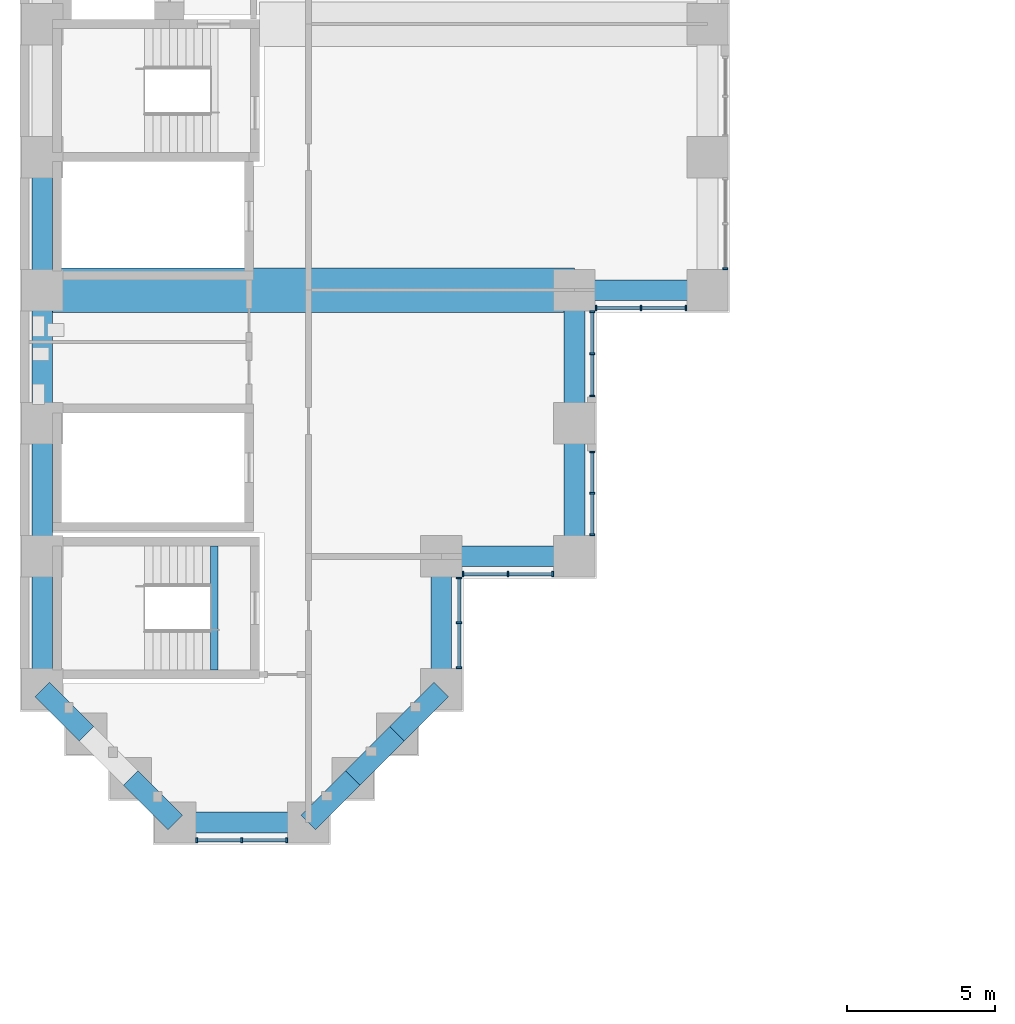
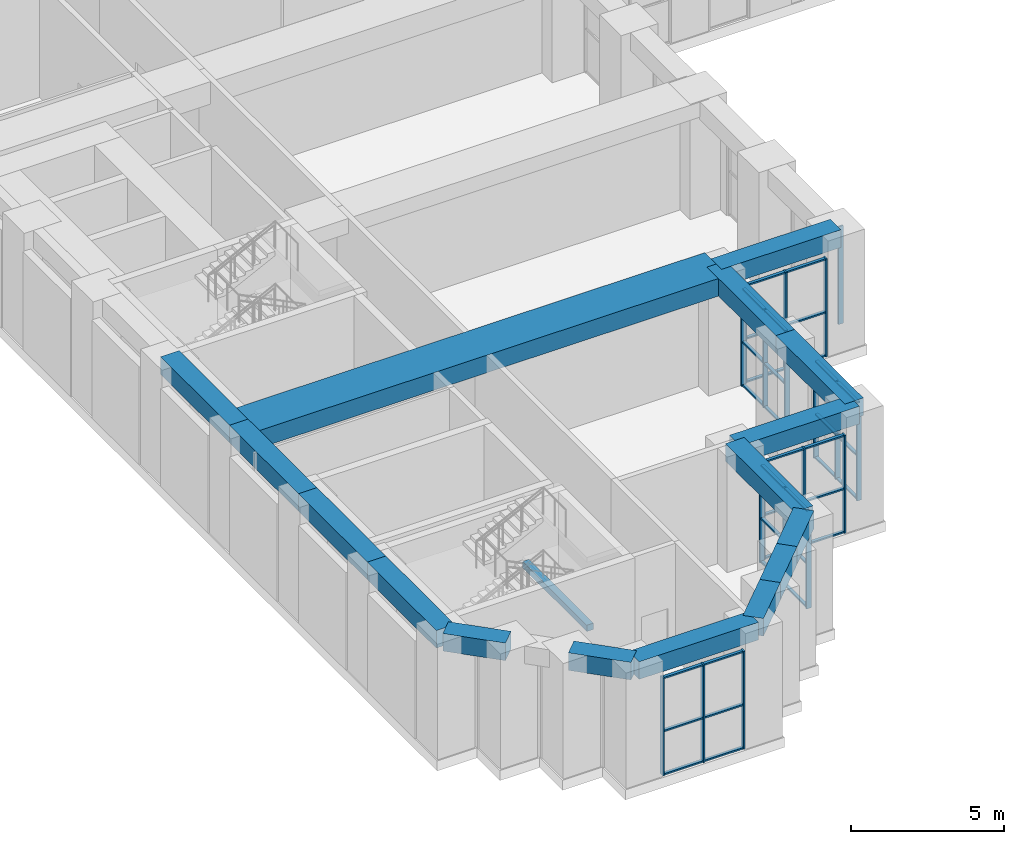
# One storey, part 2 of 34: 55 members, 17 beams, 7 elements without a shape of their own.
"""IFC4 building model written with IfcOpenShell, lengths in metres."""

from ifc_helpers import new_model, si_unit, direction, frame, origin, origin_2d, place, context, subcontext, project, spatial, rectangle, extrude, material, material_profile, profile_set, type_object, element, aggregate, save


model = new_model("IFC4")

# Units and contexts
model_context = context("Model", 3, precision=1e-05, world=origin(), true_north=direction((0.0, 1.0)))
body_context = subcontext(model_context, "Body", "Model", "MODEL_VIEW")
ifc_project = project(units=[si_unit("LENGTHUNIT", "METRE"), si_unit("AREAUNIT", "SQUARE_METRE"), si_unit("VOLUMEUNIT", "CUBIC_METRE"), si_unit("PLANEANGLEUNIT", "RADIAN"), si_unit("MASSUNIT", "GRAM", prefix="KILO")], contexts=[model_context])

# Site, building, storey
site_placement = place(None, origin())
site = spatial("IfcSite", under=ifc_project, at=site_placement, CompositionType="ELEMENT")
building_placement = place(site_placement, origin())
building = spatial("IfcBuilding", under=site, at=building_placement, Name="Firuza Court", CompositionType="ELEMENT")
storey_placement = place(building_placement, frame((0.0, 0.0, 14.0)))
storey = spatial("IfcBuildingStorey", under=building, at=storey_placement, Name="L02", CompositionType="ELEMENT", Elevation=14.0)

# Beams
ifc_material_1 = material(Name="Concrete C40/50", Category="concrete")
ifc_material_profile_1 = material_profile(ifc_material_1, rectangle(XDim=1.5, YDim=0.699951171875, at=origin_2d()), Name="RC 1500x700")
ifc_profile_set_1 = profile_set([ifc_material_profile_1], Name="Concrete C40/50")
beam_type_1 = type_object("IfcBeamType", Name="Band beam RC 1500x700 C40/50", PredefinedType="BEAM", material=ifc_profile_set_1)
beam_1_placement = place(storey_placement, frame((0.0, 18.0, 4.25), z_axis=(1.0, 0.0, 0.0), x_axis=(0.0, 1.0, 0.0)))
element("IfcBeam", 1, at=beam_1_placement, inside=storey, type_object=beam_type_1, Name="Band beam FB1 level L03", PredefinedType="BEAM", context=body_context, shape_type="SweptSolid", body=[
    extrude(rectangle(XDim=1.5, YDim=0.699951171875, at=origin_2d()), origin(), (0.0, 0.0, 1.0), 18.0),
])
ifc_material_2 = material(Name="Concrete C40/50", Category="concrete")
ifc_material_profile_2 = material_profile(ifc_material_2, rectangle(XDim=0.25, YDim=0.25, at=origin_2d()), Name="RC 250x250")
ifc_profile_set_2 = profile_set([ifc_material_profile_2], Name="Concrete C40/50")
beam_type_2 = type_object("IfcBeamType", Name="Landing beam RC 250x250 C40/50", PredefinedType="BEAM", material=ifc_profile_set_2)
beam_2_placement = place(storey_placement, frame((5.824951171875, 5.14990234375, 2.175048828125), z_axis=(0.0, 1.0, 0.0), x_axis=(-1.0, 0.0, 0.0)))
element("IfcBeam", 2, at=beam_2_placement, inside=storey, type_object=beam_type_2, Name="Landing beam S5 L02", PredefinedType="BEAM", context=body_context, shape_type="SweptSolid", body=[
    extrude(rectangle(XDim=0.25, YDim=0.25, at=origin_2d()), origin(), (0.0, 0.0, 1.0), 4.2001953125),
])

# Curtain wall, members
ifc_material_3 = material(Name="Aluminium curtain wall, triple clear glazing", Category="aluminium")
curtain_wall_type = type_object("IfcCurtainWallType", Name="Podium unitised curtain wall CW1", PredefinedType="NOTDEFINED", material=ifc_material_3)
curtain_wall_1_placement = place(storey_placement, origin())
curtain_wall_1 = element("IfcCurtainWall", 3, at=curtain_wall_1_placement, inside=storey, type_object=curtain_wall_type, Name="Podium unitised curtain wall CW1 L02", PredefinedType="NOTDEFINED")
ifc_material_4 = material(Name="Aluminium EN AW-6060 T66", Category="aluminium")
ifc_material_profile_3 = material_profile(ifc_material_4, rectangle(XDim=0.179931640625, YDim=0.06005859375, at=origin_2d()), Name="Mullion 180 x 60 CW1")
ifc_profile_set_3 = profile_set([ifc_material_profile_3], Name="Aluminium EN AW-6060 T66")
member_type_1 = type_object("IfcMemberType", Name="Mullion 180 x 60 CW1", PredefinedType="MULLION", material=ifc_profile_set_3)
member_1_placement = place(storey_placement, frame((14.10009765625, 5.22998046875, 0.0), z_axis=(0.0, 0.0, 1.0), x_axis=(-1.0, 0.0, 0.0)))
member_1 = element("IfcMember", 4, at=member_1_placement, type_object=member_type_1, Name="CW1 mullion 1", PredefinedType="MULLION", context=body_context, shape_type="SweptSolid", body=[
    extrude(rectangle(XDim=0.179931640625, YDim=0.06005859375, at=origin_2d()), origin(), (0.0, 0.0, 1.0), 3.89990234375),
])
member_2_placement = place(storey_placement, frame((14.10009765625, 6.75, 0.0), z_axis=(0.0, 0.0, 1.0), x_axis=(-1.0, 0.0, 0.0)))
member_2 = element("IfcMember", 5, at=member_2_placement, type_object=member_type_1, Name="CW1 mullion 2", PredefinedType="MULLION", context=body_context, shape_type="SweptSolid", body=[
    extrude(rectangle(XDim=0.179931640625, YDim=0.06005859375, at=origin_2d()), origin(), (0.0, 0.0, 1.0), 3.89990234375),
])
member_3_placement = place(storey_placement, frame((14.10009765625, 8.27001953125, 0.0), z_axis=(0.0, 0.0, 1.0), x_axis=(-1.0, 0.0, 0.0)))
member_3 = element("IfcMember", 6, at=member_3_placement, type_object=member_type_1, Name="CW1 mullion 3", PredefinedType="MULLION", context=body_context, shape_type="SweptSolid", body=[
    extrude(rectangle(XDim=0.179931640625, YDim=0.06005859375, at=origin_2d()), origin(), (0.0, 0.0, 1.0), 3.89990234375),
])

curtain_wall_2_placement = place(storey_placement, origin())
curtain_wall_2 = element("IfcCurtainWall", 7, at=curtain_wall_2_placement, inside=storey, type_object=curtain_wall_type, Name="Podium unitised curtain wall CW1 L02", PredefinedType="NOTDEFINED")
member_4_placement = place(storey_placement, frame((14.22998046875, 8.39990234375, 0.0), z_axis=(0.0, 0.0, 1.0), x_axis=(0.0, 1.0, 0.0)))
member_4 = element("IfcMember", 8, at=member_4_placement, type_object=member_type_1, Name="CW1 mullion 1", PredefinedType="MULLION", context=body_context, shape_type="SweptSolid", body=[
    extrude(rectangle(XDim=0.179931640625, YDim=0.06005859375, at=origin_2d()), origin(), (0.0, 0.0, 1.0), 3.89990234375),
])
member_5_placement = place(storey_placement, frame((15.75, 8.39990234375, 0.0), z_axis=(0.0, 0.0, 1.0), x_axis=(0.0, 1.0, 0.0)))
member_5 = element("IfcMember", 9, at=member_5_placement, type_object=member_type_1, Name="CW1 mullion 2", PredefinedType="MULLION", context=body_context, shape_type="SweptSolid", body=[
    extrude(rectangle(XDim=0.179931640625, YDim=0.06005859375, at=origin_2d()), origin(), (0.0, 0.0, 1.0), 3.89990234375),
])
member_6_placement = place(storey_placement, frame((17.27001953125, 8.39990234375, 0.0), z_axis=(0.0, 0.0, 1.0), x_axis=(0.0, 1.0, 0.0)))
member_6 = element("IfcMember", 10, at=member_6_placement, type_object=member_type_1, Name="CW1 mullion 3", PredefinedType="MULLION", context=body_context, shape_type="SweptSolid", body=[
    extrude(rectangle(XDim=0.179931640625, YDim=0.06005859375, at=origin_2d()), origin(), (0.0, 0.0, 1.0), 3.89990234375),
])

curtain_wall_3_placement = place(storey_placement, origin())
curtain_wall_3 = element("IfcCurtainWall", 11, at=curtain_wall_3_placement, inside=storey, type_object=curtain_wall_type, Name="Podium unitised curtain wall CW1 L02", PredefinedType="NOTDEFINED")
member_7_placement = place(storey_placement, frame((18.60009765625, 9.72998046875, 0.0), z_axis=(0.0, 0.0, 1.0), x_axis=(-1.0, 0.0, 0.0)))
member_7 = element("IfcMember", 12, at=member_7_placement, type_object=member_type_1, Name="CW1 mullion 1", PredefinedType="MULLION", context=body_context, shape_type="SweptSolid", body=[
    extrude(rectangle(XDim=0.179931640625, YDim=0.06005859375, at=origin_2d()), origin(), (0.0, 0.0, 1.0), 3.89990234375),
])
member_8_placement = place(storey_placement, frame((18.60009765625, 11.129638671875, 0.0), z_axis=(0.0, 0.0, 1.0), x_axis=(-1.0, 0.0, 0.0)))
member_8 = element("IfcMember", 13, at=member_8_placement, type_object=member_type_1, Name="CW1 mullion 2", PredefinedType="MULLION", context=body_context, shape_type="SweptSolid", body=[
    extrude(rectangle(XDim=0.179931640625, YDim=0.06005859375, at=origin_2d()), origin(), (0.0, 0.0, 1.0), 3.89990234375),
])
member_9_placement = place(storey_placement, frame((18.60009765625, 12.529052734375, 0.0), z_axis=(0.0, 0.0, 1.0), x_axis=(-1.0, 0.0, 0.0)))
member_9 = element("IfcMember", 14, at=member_9_placement, type_object=member_type_1, Name="CW1 mullion 3", PredefinedType="MULLION", context=body_context, shape_type="SweptSolid", body=[
    extrude(rectangle(XDim=0.179931640625, YDim=0.06005859375, at=origin_2d()), origin(), (0.0, 0.0, 1.0), 3.89990234375),
])

curtain_wall_4_placement = place(storey_placement, origin())
curtain_wall_4 = element("IfcCurtainWall", 15, at=curtain_wall_4_placement, inside=storey, type_object=curtain_wall_type, Name="Podium unitised curtain wall CW1 L02", PredefinedType="NOTDEFINED")
member_10_placement = place(storey_placement, frame((18.60009765625, 14.423828125, 0.0), z_axis=(0.0, 0.0, 1.0), x_axis=(-1.0, 0.0, 0.0)))
member_10 = element("IfcMember", 16, at=member_10_placement, type_object=member_type_1, Name="CW1 mullion 1", PredefinedType="MULLION", context=body_context, shape_type="SweptSolid", body=[
    extrude(rectangle(XDim=0.179931640625, YDim=0.06005859375, at=origin_2d()), origin(), (0.0, 0.0, 1.0), 3.89990234375),
])
member_11_placement = place(storey_placement, frame((18.60009765625, 15.846923828125, 0.0), z_axis=(0.0, 0.0, 1.0), x_axis=(-1.0, 0.0, 0.0)))
member_11 = element("IfcMember", 17, at=member_11_placement, type_object=member_type_1, Name="CW1 mullion 2", PredefinedType="MULLION", context=body_context, shape_type="SweptSolid", body=[
    extrude(rectangle(XDim=0.179931640625, YDim=0.06005859375, at=origin_2d()), origin(), (0.0, 0.0, 1.0), 3.89990234375),
])
member_12_placement = place(storey_placement, frame((18.60009765625, 17.27001953125, 0.0), z_axis=(0.0, 0.0, 1.0), x_axis=(-1.0, 0.0, 0.0)))
member_12 = element("IfcMember", 18, at=member_12_placement, type_object=member_type_1, Name="CW1 mullion 3", PredefinedType="MULLION", context=body_context, shape_type="SweptSolid", body=[
    extrude(rectangle(XDim=0.179931640625, YDim=0.06005859375, at=origin_2d()), origin(), (0.0, 0.0, 1.0), 3.89990234375),
])

curtain_wall_5_placement = place(storey_placement, origin())
curtain_wall_5 = element("IfcCurtainWall", 19, at=curtain_wall_5_placement, inside=storey, type_object=curtain_wall_type, Name="Podium unitised curtain wall CW1 L02", PredefinedType="NOTDEFINED")
member_13_placement = place(storey_placement, frame((18.72998046875, 17.39990234375, 0.0), z_axis=(0.0, 0.0, 1.0), x_axis=(0.0, 1.0, 0.0)))
member_13 = element("IfcMember", 20, at=member_13_placement, type_object=member_type_1, Name="CW1 mullion 1", PredefinedType="MULLION", context=body_context, shape_type="SweptSolid", body=[
    extrude(rectangle(XDim=0.179931640625, YDim=0.06005859375, at=origin_2d()), origin(), (0.0, 0.0, 1.0), 3.89990234375),
])
member_14_placement = place(storey_placement, frame((20.25, 17.39990234375, 0.0), z_axis=(0.0, 0.0, 1.0), x_axis=(0.0, 1.0, 0.0)))
member_14 = element("IfcMember", 21, at=member_14_placement, type_object=member_type_1, Name="CW1 mullion 2", PredefinedType="MULLION", context=body_context, shape_type="SweptSolid", body=[
    extrude(rectangle(XDim=0.179931640625, YDim=0.06005859375, at=origin_2d()), origin(), (0.0, 0.0, 1.0), 3.89990234375),
])
member_15_placement = place(storey_placement, frame((21.77001953125, 17.39990234375, 0.0), z_axis=(0.0, 0.0, 1.0), x_axis=(0.0, 1.0, 0.0)))
member_15 = element("IfcMember", 22, at=member_15_placement, type_object=member_type_1, Name="CW1 mullion 3", PredefinedType="MULLION", context=body_context, shape_type="SweptSolid", body=[
    extrude(rectangle(XDim=0.179931640625, YDim=0.06005859375, at=origin_2d()), origin(), (0.0, 0.0, 1.0), 3.89990234375),
])

# Curtain wall, member
curtain_wall_6_placement = place(storey_placement, origin())
curtain_wall_6 = element("IfcCurtainWall", 23, at=curtain_wall_6_placement, inside=storey, type_object=curtain_wall_type, Name="Podium unitised curtain wall CW1 L02", PredefinedType="NOTDEFINED")
member_16_placement = place(storey_placement, frame((23.10009765625, 18.72998046875, 0.0), z_axis=(0.0, 0.0, 1.0), x_axis=(-1.0, 0.0, 0.0)))
member_16 = element("IfcMember", 24, at=member_16_placement, type_object=member_type_1, Name="CW1 mullion 1", PredefinedType="MULLION", context=body_context, shape_type="SweptSolid", body=[
    extrude(rectangle(XDim=0.179931640625, YDim=0.06005859375, at=origin_2d()), origin(), (0.0, 0.0, 1.0), 3.89990234375),
])
aggregate(curtain_wall_6, [member_16])

# Curtain wall, members
curtain_wall_7_placement = place(storey_placement, origin())
curtain_wall_7 = element("IfcCurtainWall", 25, at=curtain_wall_7_placement, inside=storey, type_object=curtain_wall_type, Name="Podium unitised curtain wall CW1 L02", PredefinedType="NOTDEFINED")
member_17_placement = place(storey_placement, frame((5.22998046875, -0.60009765625, 0.0), z_axis=(0.0, 0.0, 1.0), x_axis=(0.0, 1.0, 0.0)))
member_17 = element("IfcMember", 26, at=member_17_placement, type_object=member_type_1, Name="CW1 mullion 1", PredefinedType="MULLION", context=body_context, shape_type="SweptSolid", body=[
    extrude(rectangle(XDim=0.179931640625, YDim=0.06005859375, at=origin_2d()), origin(), (0.0, 0.0, 1.0), 3.89990234375),
])
member_18_placement = place(storey_placement, frame((6.75, -0.60009765625, 0.0), z_axis=(0.0, 0.0, 1.0), x_axis=(0.0, 1.0, 0.0)))
member_18 = element("IfcMember", 27, at=member_18_placement, type_object=member_type_1, Name="CW1 mullion 2", PredefinedType="MULLION", context=body_context, shape_type="SweptSolid", body=[
    extrude(rectangle(XDim=0.179931640625, YDim=0.06005859375, at=origin_2d()), origin(), (0.0, 0.0, 1.0), 3.89990234375),
])
member_19_placement = place(storey_placement, frame((8.27001953125, -0.60009765625, 0.0), z_axis=(0.0, 0.0, 1.0), x_axis=(0.0, 1.0, 0.0)))
member_19 = element("IfcMember", 28, at=member_19_placement, type_object=member_type_1, Name="CW1 mullion 3", PredefinedType="MULLION", context=body_context, shape_type="SweptSolid", body=[
    extrude(rectangle(XDim=0.179931640625, YDim=0.06005859375, at=origin_2d()), origin(), (0.0, 0.0, 1.0), 3.89990234375),
])

# Beams
ifc_material_5 = material(Name="Concrete C40/50", Category="concrete")
ifc_material_profile_4 = material_profile(ifc_material_5, rectangle(XDim=0.699951171875, YDim=0.699951171875, at=origin_2d()), Name="RC 700x700")
ifc_profile_set_4 = profile_set([ifc_material_profile_4], Name="Concrete C40/50")
beam_type_3 = type_object("IfcBeamType", Name="Spandrel beam RC 700x700 C40/50", PredefinedType="BEAM", material=ifc_profile_set_4)
beam_3_placement = place(storey_placement, frame((0.0, 4.5, 4.25), z_axis=(0.707106781187, -0.707106781187, 0.0), x_axis=(0.707106781187, 0.707106781187, 0.0)))
element("IfcBeam", 29, at=beam_3_placement, inside=storey, type_object=beam_type_3, Name="Spandrel beam SP8 level L03", PredefinedType="BEAM", context=body_context, shape_type="SweptSolid", body=[
    extrude(rectangle(XDim=0.699951171875, YDim=0.699951171875, at=origin_2d()), origin(), (0.0, 0.0, 1.0), 2.121337890625),
])
for number, where, z_axis, x_axis, name in (
    (30, (0.0, 9.0, 4.25), (0.0, -1.0, 0.0), (1.0, 0.0, 0.0), "Spandrel beam SP8 level L03"),
    (31, (0.0, 13.5, 4.25), (0.0, -1.0, 0.0), (1.0, 0.0, 0.0), "Spandrel beam SP8 level L03"),
    (32, (0.0, 18.0, 4.25), (0.0, -1.0, 0.0), (1.0, 0.0, 0.0), "Spandrel beam SP8 level L03"),
    (33, (0.0, 22.5, 4.25), (0.0, -1.0, 0.0), (1.0, 0.0, 0.0), "Spandrel beam SP8 level L03"),
):
    element("IfcBeam", number, at=place(storey_placement, frame(where, z_axis=z_axis, x_axis=x_axis)), inside=storey, type_object=beam_type_3, Name=name, PredefinedType="BEAM", context=body_context, shape_type="SweptSolid", body=[
        extrude(rectangle(XDim=0.699951171875, YDim=0.699951171875, at=origin_2d()), origin(), (0.0, 0.0, 1.0), 4.5),
    ])
beam_4_placement = place(storey_placement, frame((3.0, 1.5, 4.25), z_axis=(0.707106781187, -0.707106781187, 0.0), x_axis=(0.707106781187, 0.707106781187, 0.0)))
element("IfcBeam", 34, at=beam_4_placement, inside=storey, type_object=beam_type_3, Name="Spandrel beam SP8 level L03", PredefinedType="BEAM", context=body_context, shape_type="SweptSolid", body=[
    extrude(rectangle(XDim=0.699951171875, YDim=0.699951171875, at=origin_2d()), origin(), (0.0, 0.0, 1.0), 2.121337890625),
])
beam_5_placement = place(storey_placement, frame((4.5, 0.0, 4.25), z_axis=(1.0, 0.0, 0.0), x_axis=(0.0, 1.0, 0.0)))
element("IfcBeam", 35, at=beam_5_placement, inside=storey, type_object=beam_type_3, Name="Spandrel beam SP8 level L03", PredefinedType="BEAM", context=body_context, shape_type="SweptSolid", body=[
    extrude(rectangle(XDim=0.699951171875, YDim=0.699951171875, at=origin_2d()), origin(), (0.0, 0.0, 1.0), 4.5),
])
for number, where, z_axis, x_axis, name in (
    (36, (9.0, 0.0, 4.25), (0.707106781187, 0.707106781187, 0.0), (-0.707106781187, 0.707106781187, 0.0), "Spandrel beam SP8 level L03"),
    (37, (10.5, 1.5, 4.25), (0.707106781187, 0.707106781187, 0.0), (-0.707106781187, 0.707106781187, 0.0), "Spandrel beam SP8 level L03"),
    (38, (12.0, 3.0, 4.25), (0.707106781187, 0.707106781187, 0.0), (-0.707106781187, 0.707106781187, 0.0), "Spandrel beam SP8 level L03"),
):
    element("IfcBeam", number, at=place(storey_placement, frame(where, z_axis=z_axis, x_axis=x_axis)), inside=storey, type_object=beam_type_3, Name=name, PredefinedType="BEAM", context=body_context, shape_type="SweptSolid", body=[
        extrude(rectangle(XDim=0.699951171875, YDim=0.699951171875, at=origin_2d()), origin(), (0.0, 0.0, 1.0), 2.121337890625),
    ])
for number, where, z_axis, x_axis, name in (
    (39, (13.5, 4.5, 4.25), (0.0, 1.0, 0.0), (-1.0, 0.0, 0.0), "Spandrel beam SP8 level L03"),
    (40, (13.5, 9.0, 4.25), (1.0, 0.0, 0.0), (0.0, 1.0, 0.0), "Spandrel beam SP8 level L03"),
    (41, (18.0, 9.0, 4.25), (0.0, 1.0, 0.0), (-1.0, 0.0, 0.0), "Spandrel beam SP8 level L03"),
    (42, (18.0, 13.5, 4.25), (0.0, 1.0, 0.0), (-1.0, 0.0, 0.0), "Spandrel beam SP8 level L03"),
    (43, (18.0, 18.0, 4.25), (1.0, 0.0, 0.0), (0.0, 1.0, 0.0), "Spandrel beam SP8 level L03"),
):
    element("IfcBeam", number, at=place(storey_placement, frame(where, z_axis=z_axis, x_axis=x_axis)), inside=storey, type_object=beam_type_3, Name=name, PredefinedType="BEAM", context=body_context, shape_type="SweptSolid", body=[
        extrude(rectangle(XDim=0.699951171875, YDim=0.699951171875, at=origin_2d()), origin(), (0.0, 0.0, 1.0), 4.5),
    ])

# Member
ifc_material_6 = material(Name="Aluminium EN AW-6060 T66", Category="aluminium")
ifc_material_profile_5 = material_profile(ifc_material_6, rectangle(XDim=0.1201171875, YDim=0.06005859375, at=origin_2d()), Name="Transom 120 x 60 CW1")
ifc_profile_set_5 = profile_set([ifc_material_profile_5], Name="Aluminium EN AW-6060 T66")
member_type_2 = type_object("IfcMemberType", Name="Transom 120 x 60 CW1", PredefinedType="USERDEFINED", material=ifc_profile_set_5)
member_20_placement = place(storey_placement, frame((14.10009765625, 5.260009765625, 0.030029296875), z_axis=(0.0, 1.0, 0.0), x_axis=(-1.0, 0.0, 0.0)))
member_20 = element("IfcMember", 44, at=member_20_placement, type_object=member_type_2, Name="CW1 transom 1.1", ObjectType="TRANSOM", PredefinedType="USERDEFINED", context=body_context, shape_type="SweptSolid", body=[
    extrude(rectangle(XDim=0.1201171875, YDim=0.06005859375, at=origin_2d()), origin(), (0.0, 0.0, 1.0), 1.4599609375),
])

member_21_placement = place(storey_placement, frame((14.10009765625, 5.260009765625, 1.7548828125), z_axis=(0.0, 1.0, 0.0), x_axis=(-1.0, 0.0, 0.0)))
member_21 = element("IfcMember", 45, at=member_21_placement, type_object=member_type_2, Name="CW1 transom 1.2", ObjectType="TRANSOM", PredefinedType="USERDEFINED", context=body_context, shape_type="SweptSolid", body=[
    extrude(rectangle(XDim=0.1201171875, YDim=0.06005859375, at=origin_2d()), origin(), (0.0, 0.0, 1.0), 1.4599609375),
])

member_22_placement = place(storey_placement, frame((14.10009765625, 5.260009765625, 3.8701171875), z_axis=(0.0, 1.0, 0.0), x_axis=(-1.0, 0.0, 0.0)))
member_22 = element("IfcMember", 46, at=member_22_placement, type_object=member_type_2, Name="CW1 transom 1.3", ObjectType="TRANSOM", PredefinedType="USERDEFINED", context=body_context, shape_type="SweptSolid", body=[
    extrude(rectangle(XDim=0.1201171875, YDim=0.06005859375, at=origin_2d()), origin(), (0.0, 0.0, 1.0), 1.4599609375),
])

member_23_placement = place(storey_placement, frame((14.10009765625, 6.780029296875, 0.030029296875), z_axis=(0.0, 1.0, 0.0), x_axis=(-1.0, 0.0, 0.0)))
member_23 = element("IfcMember", 47, at=member_23_placement, type_object=member_type_2, Name="CW1 transom 2.1", ObjectType="TRANSOM", PredefinedType="USERDEFINED", context=body_context, shape_type="SweptSolid", body=[
    extrude(rectangle(XDim=0.1201171875, YDim=0.06005859375, at=origin_2d()), origin(), (0.0, 0.0, 1.0), 1.4599609375),
])

member_24_placement = place(storey_placement, frame((14.10009765625, 6.780029296875, 1.7548828125), z_axis=(0.0, 1.0, 0.0), x_axis=(-1.0, 0.0, 0.0)))
member_24 = element("IfcMember", 48, at=member_24_placement, type_object=member_type_2, Name="CW1 transom 2.2", ObjectType="TRANSOM", PredefinedType="USERDEFINED", context=body_context, shape_type="SweptSolid", body=[
    extrude(rectangle(XDim=0.1201171875, YDim=0.06005859375, at=origin_2d()), origin(), (0.0, 0.0, 1.0), 1.4599609375),
])

member_25_placement = place(storey_placement, frame((14.10009765625, 6.780029296875, 3.8701171875), z_axis=(0.0, 1.0, 0.0), x_axis=(-1.0, 0.0, 0.0)))
member_25 = element("IfcMember", 49, at=member_25_placement, type_object=member_type_2, Name="CW1 transom 2.3", ObjectType="TRANSOM", PredefinedType="USERDEFINED", context=body_context, shape_type="SweptSolid", body=[
    extrude(rectangle(XDim=0.1201171875, YDim=0.06005859375, at=origin_2d()), origin(), (0.0, 0.0, 1.0), 1.4599609375),
])

aggregate(curtain_wall_1, [member_1, member_2, member_3, member_20, member_21, member_22, member_23, member_24, member_25])

member_26_placement = place(storey_placement, frame((14.260009765625, 8.39990234375, 0.030029296875), z_axis=(1.0, 0.0, 0.0), x_axis=(0.0, 1.0, 0.0)))
member_26 = element("IfcMember", 50, at=member_26_placement, type_object=member_type_2, Name="CW1 transom 1.1", ObjectType="TRANSOM", PredefinedType="USERDEFINED", context=body_context, shape_type="SweptSolid", body=[
    extrude(rectangle(XDim=0.1201171875, YDim=0.06005859375, at=origin_2d()), origin(), (0.0, 0.0, 1.0), 1.4599609375),
])

member_27_placement = place(storey_placement, frame((14.260009765625, 8.39990234375, 1.7548828125), z_axis=(1.0, 0.0, 0.0), x_axis=(0.0, 1.0, 0.0)))
member_27 = element("IfcMember", 51, at=member_27_placement, type_object=member_type_2, Name="CW1 transom 1.2", ObjectType="TRANSOM", PredefinedType="USERDEFINED", context=body_context, shape_type="SweptSolid", body=[
    extrude(rectangle(XDim=0.1201171875, YDim=0.06005859375, at=origin_2d()), origin(), (0.0, 0.0, 1.0), 1.4599609375),
])

member_28_placement = place(storey_placement, frame((14.260009765625, 8.39990234375, 3.8701171875), z_axis=(1.0, 0.0, 0.0), x_axis=(0.0, 1.0, 0.0)))
member_28 = element("IfcMember", 52, at=member_28_placement, type_object=member_type_2, Name="CW1 transom 1.3", ObjectType="TRANSOM", PredefinedType="USERDEFINED", context=body_context, shape_type="SweptSolid", body=[
    extrude(rectangle(XDim=0.1201171875, YDim=0.06005859375, at=origin_2d()), origin(), (0.0, 0.0, 1.0), 1.4599609375),
])

member_29_placement = place(storey_placement, frame((15.780029296875, 8.39990234375, 0.030029296875), z_axis=(1.0, 0.0, 0.0), x_axis=(0.0, 1.0, 0.0)))
member_29 = element("IfcMember", 53, at=member_29_placement, type_object=member_type_2, Name="CW1 transom 2.1", ObjectType="TRANSOM", PredefinedType="USERDEFINED", context=body_context, shape_type="SweptSolid", body=[
    extrude(rectangle(XDim=0.1201171875, YDim=0.06005859375, at=origin_2d()), origin(), (0.0, 0.0, 1.0), 1.4599609375),
])

member_30_placement = place(storey_placement, frame((15.780029296875, 8.39990234375, 1.7548828125), z_axis=(1.0, 0.0, 0.0), x_axis=(0.0, 1.0, 0.0)))
member_30 = element("IfcMember", 54, at=member_30_placement, type_object=member_type_2, Name="CW1 transom 2.2", ObjectType="TRANSOM", PredefinedType="USERDEFINED", context=body_context, shape_type="SweptSolid", body=[
    extrude(rectangle(XDim=0.1201171875, YDim=0.06005859375, at=origin_2d()), origin(), (0.0, 0.0, 1.0), 1.4599609375),
])

member_31_placement = place(storey_placement, frame((15.780029296875, 8.39990234375, 3.8701171875), z_axis=(1.0, 0.0, 0.0), x_axis=(0.0, 1.0, 0.0)))
member_31 = element("IfcMember", 55, at=member_31_placement, type_object=member_type_2, Name="CW1 transom 2.3", ObjectType="TRANSOM", PredefinedType="USERDEFINED", context=body_context, shape_type="SweptSolid", body=[
    extrude(rectangle(XDim=0.1201171875, YDim=0.06005859375, at=origin_2d()), origin(), (0.0, 0.0, 1.0), 1.4599609375),
])

aggregate(curtain_wall_2, [member_4, member_5, member_6, member_26, member_27, member_28, member_29, member_30, member_31])

member_32_placement = place(storey_placement, frame((18.60009765625, 9.760009765625, 0.030029296875), z_axis=(0.0, 1.0, 0.0), x_axis=(-1.0, 0.0, 0.0)))
member_32 = element("IfcMember", 56, at=member_32_placement, type_object=member_type_2, Name="CW1 transom 1.1", ObjectType="TRANSOM", PredefinedType="USERDEFINED", context=body_context, shape_type="SweptSolid", body=[
    extrude(rectangle(XDim=0.1201171875, YDim=0.06005859375, at=origin_2d()), origin(), (0.0, 0.0, 1.0), 1.339599609375),
])

member_33_placement = place(storey_placement, frame((18.60009765625, 9.760009765625, 1.7548828125), z_axis=(0.0, 1.0, 0.0), x_axis=(-1.0, 0.0, 0.0)))
member_33 = element("IfcMember", 57, at=member_33_placement, type_object=member_type_2, Name="CW1 transom 1.2", ObjectType="TRANSOM", PredefinedType="USERDEFINED", context=body_context, shape_type="SweptSolid", body=[
    extrude(rectangle(XDim=0.1201171875, YDim=0.06005859375, at=origin_2d()), origin(), (0.0, 0.0, 1.0), 1.339599609375),
])

member_34_placement = place(storey_placement, frame((18.60009765625, 9.760009765625, 3.8701171875), z_axis=(0.0, 1.0, 0.0), x_axis=(-1.0, 0.0, 0.0)))
member_34 = element("IfcMember", 58, at=member_34_placement, type_object=member_type_2, Name="CW1 transom 1.3", ObjectType="TRANSOM", PredefinedType="USERDEFINED", context=body_context, shape_type="SweptSolid", body=[
    extrude(rectangle(XDim=0.1201171875, YDim=0.06005859375, at=origin_2d()), origin(), (0.0, 0.0, 1.0), 1.339599609375),
])

member_35_placement = place(storey_placement, frame((18.60009765625, 11.15966796875, 0.030029296875), z_axis=(0.0, 1.0, 0.0), x_axis=(-1.0, 0.0, 0.0)))
member_35 = element("IfcMember", 59, at=member_35_placement, type_object=member_type_2, Name="CW1 transom 2.1", ObjectType="TRANSOM", PredefinedType="USERDEFINED", context=body_context, shape_type="SweptSolid", body=[
    extrude(rectangle(XDim=0.1201171875, YDim=0.06005859375, at=origin_2d()), origin(), (0.0, 0.0, 1.0), 1.33935546875),
])

member_36_placement = place(storey_placement, frame((18.60009765625, 11.15966796875, 1.7548828125), z_axis=(0.0, 1.0, 0.0), x_axis=(-1.0, 0.0, 0.0)))
member_36 = element("IfcMember", 60, at=member_36_placement, type_object=member_type_2, Name="CW1 transom 2.2", ObjectType="TRANSOM", PredefinedType="USERDEFINED", context=body_context, shape_type="SweptSolid", body=[
    extrude(rectangle(XDim=0.1201171875, YDim=0.06005859375, at=origin_2d()), origin(), (0.0, 0.0, 1.0), 1.33935546875),
])

member_37_placement = place(storey_placement, frame((18.60009765625, 11.15966796875, 3.8701171875), z_axis=(0.0, 1.0, 0.0), x_axis=(-1.0, 0.0, 0.0)))
member_37 = element("IfcMember", 61, at=member_37_placement, type_object=member_type_2, Name="CW1 transom 2.3", ObjectType="TRANSOM", PredefinedType="USERDEFINED", context=body_context, shape_type="SweptSolid", body=[
    extrude(rectangle(XDim=0.1201171875, YDim=0.06005859375, at=origin_2d()), origin(), (0.0, 0.0, 1.0), 1.33935546875),
])

aggregate(curtain_wall_3, [member_7, member_8, member_9, member_32, member_33, member_34, member_35, member_36, member_37])

member_38_placement = place(storey_placement, frame((18.60009765625, 14.453857421875, 0.030029296875), z_axis=(0.0, 1.0, 0.0), x_axis=(-1.0, 0.0, 0.0)))
member_38 = element("IfcMember", 62, at=member_38_placement, type_object=member_type_2, Name="CW1 transom 1.1", ObjectType="TRANSOM", PredefinedType="USERDEFINED", context=body_context, shape_type="SweptSolid", body=[
    extrude(rectangle(XDim=0.1201171875, YDim=0.06005859375, at=origin_2d()), origin(), (0.0, 0.0, 1.0), 1.363037109375),
])

member_39_placement = place(storey_placement, frame((18.60009765625, 14.453857421875, 1.7548828125), z_axis=(0.0, 1.0, 0.0), x_axis=(-1.0, 0.0, 0.0)))
member_39 = element("IfcMember", 63, at=member_39_placement, type_object=member_type_2, Name="CW1 transom 1.2", ObjectType="TRANSOM", PredefinedType="USERDEFINED", context=body_context, shape_type="SweptSolid", body=[
    extrude(rectangle(XDim=0.1201171875, YDim=0.06005859375, at=origin_2d()), origin(), (0.0, 0.0, 1.0), 1.363037109375),
])

member_40_placement = place(storey_placement, frame((18.60009765625, 14.453857421875, 3.8701171875), z_axis=(0.0, 1.0, 0.0), x_axis=(-1.0, 0.0, 0.0)))
member_40 = element("IfcMember", 64, at=member_40_placement, type_object=member_type_2, Name="CW1 transom 1.3", ObjectType="TRANSOM", PredefinedType="USERDEFINED", context=body_context, shape_type="SweptSolid", body=[
    extrude(rectangle(XDim=0.1201171875, YDim=0.06005859375, at=origin_2d()), origin(), (0.0, 0.0, 1.0), 1.363037109375),
])

member_41_placement = place(storey_placement, frame((18.60009765625, 15.876953125, 0.030029296875), z_axis=(0.0, 1.0, 0.0), x_axis=(-1.0, 0.0, 0.0)))
member_41 = element("IfcMember", 65, at=member_41_placement, type_object=member_type_2, Name="CW1 transom 2.1", ObjectType="TRANSOM", PredefinedType="USERDEFINED", context=body_context, shape_type="SweptSolid", body=[
    extrude(rectangle(XDim=0.1201171875, YDim=0.06005859375, at=origin_2d()), origin(), (0.0, 0.0, 1.0), 1.363037109375),
])

member_42_placement = place(storey_placement, frame((18.60009765625, 15.876953125, 1.7548828125), z_axis=(0.0, 1.0, 0.0), x_axis=(-1.0, 0.0, 0.0)))
member_42 = element("IfcMember", 66, at=member_42_placement, type_object=member_type_2, Name="CW1 transom 2.2", ObjectType="TRANSOM", PredefinedType="USERDEFINED", context=body_context, shape_type="SweptSolid", body=[
    extrude(rectangle(XDim=0.1201171875, YDim=0.06005859375, at=origin_2d()), origin(), (0.0, 0.0, 1.0), 1.363037109375),
])

member_43_placement = place(storey_placement, frame((18.60009765625, 15.876953125, 3.8701171875), z_axis=(0.0, 1.0, 0.0), x_axis=(-1.0, 0.0, 0.0)))
member_43 = element("IfcMember", 67, at=member_43_placement, type_object=member_type_2, Name="CW1 transom 2.3", ObjectType="TRANSOM", PredefinedType="USERDEFINED", context=body_context, shape_type="SweptSolid", body=[
    extrude(rectangle(XDim=0.1201171875, YDim=0.06005859375, at=origin_2d()), origin(), (0.0, 0.0, 1.0), 1.363037109375),
])

aggregate(curtain_wall_4, [member_10, member_11, member_12, member_38, member_39, member_40, member_41, member_42, member_43])

member_44_placement = place(storey_placement, frame((18.760009765625, 17.39990234375, 0.030029296875), z_axis=(1.0, 0.0, 0.0), x_axis=(0.0, 1.0, 0.0)))
member_44 = element("IfcMember", 68, at=member_44_placement, type_object=member_type_2, Name="CW1 transom 1.1", ObjectType="TRANSOM", PredefinedType="USERDEFINED", context=body_context, shape_type="SweptSolid", body=[
    extrude(rectangle(XDim=0.1201171875, YDim=0.06005859375, at=origin_2d()), origin(), (0.0, 0.0, 1.0), 1.4599609375),
])

member_45_placement = place(storey_placement, frame((18.760009765625, 17.39990234375, 1.7548828125), z_axis=(1.0, 0.0, 0.0), x_axis=(0.0, 1.0, 0.0)))
member_45 = element("IfcMember", 69, at=member_45_placement, type_object=member_type_2, Name="CW1 transom 1.2", ObjectType="TRANSOM", PredefinedType="USERDEFINED", context=body_context, shape_type="SweptSolid", body=[
    extrude(rectangle(XDim=0.1201171875, YDim=0.06005859375, at=origin_2d()), origin(), (0.0, 0.0, 1.0), 1.4599609375),
])

member_46_placement = place(storey_placement, frame((18.760009765625, 17.39990234375, 3.8701171875), z_axis=(1.0, 0.0, 0.0), x_axis=(0.0, 1.0, 0.0)))
member_46 = element("IfcMember", 70, at=member_46_placement, type_object=member_type_2, Name="CW1 transom 1.3", ObjectType="TRANSOM", PredefinedType="USERDEFINED", context=body_context, shape_type="SweptSolid", body=[
    extrude(rectangle(XDim=0.1201171875, YDim=0.06005859375, at=origin_2d()), origin(), (0.0, 0.0, 1.0), 1.4599609375),
])

member_47_placement = place(storey_placement, frame((20.280029296875, 17.39990234375, 0.030029296875), z_axis=(1.0, 0.0, 0.0), x_axis=(0.0, 1.0, 0.0)))
member_47 = element("IfcMember", 71, at=member_47_placement, type_object=member_type_2, Name="CW1 transom 2.1", ObjectType="TRANSOM", PredefinedType="USERDEFINED", context=body_context, shape_type="SweptSolid", body=[
    extrude(rectangle(XDim=0.1201171875, YDim=0.06005859375, at=origin_2d()), origin(), (0.0, 0.0, 1.0), 1.4599609375),
])

member_48_placement = place(storey_placement, frame((20.280029296875, 17.39990234375, 1.7548828125), z_axis=(1.0, 0.0, 0.0), x_axis=(0.0, 1.0, 0.0)))
member_48 = element("IfcMember", 72, at=member_48_placement, type_object=member_type_2, Name="CW1 transom 2.2", ObjectType="TRANSOM", PredefinedType="USERDEFINED", context=body_context, shape_type="SweptSolid", body=[
    extrude(rectangle(XDim=0.1201171875, YDim=0.06005859375, at=origin_2d()), origin(), (0.0, 0.0, 1.0), 1.4599609375),
])

member_49_placement = place(storey_placement, frame((20.280029296875, 17.39990234375, 3.8701171875), z_axis=(1.0, 0.0, 0.0), x_axis=(0.0, 1.0, 0.0)))
member_49 = element("IfcMember", 73, at=member_49_placement, type_object=member_type_2, Name="CW1 transom 2.3", ObjectType="TRANSOM", PredefinedType="USERDEFINED", context=body_context, shape_type="SweptSolid", body=[
    extrude(rectangle(XDim=0.1201171875, YDim=0.06005859375, at=origin_2d()), origin(), (0.0, 0.0, 1.0), 1.4599609375),
])

aggregate(curtain_wall_5, [member_13, member_14, member_15, member_44, member_45, member_46, member_47, member_48, member_49])

member_50_placement = place(storey_placement, frame((5.260009765625, -0.60009765625, 0.030029296875), z_axis=(1.0, 0.0, 0.0), x_axis=(0.0, 1.0, 0.0)))
member_50 = element("IfcMember", 74, at=member_50_placement, type_object=member_type_2, Name="CW1 transom 1.1", ObjectType="TRANSOM", PredefinedType="USERDEFINED", context=body_context, shape_type="SweptSolid", body=[
    extrude(rectangle(XDim=0.1201171875, YDim=0.06005859375, at=origin_2d()), origin(), (0.0, 0.0, 1.0), 1.4599609375),
])

member_51_placement = place(storey_placement, frame((5.260009765625, -0.60009765625, 1.7548828125), z_axis=(1.0, 0.0, 0.0), x_axis=(0.0, 1.0, 0.0)))
member_51 = element("IfcMember", 75, at=member_51_placement, type_object=member_type_2, Name="CW1 transom 1.2", ObjectType="TRANSOM", PredefinedType="USERDEFINED", context=body_context, shape_type="SweptSolid", body=[
    extrude(rectangle(XDim=0.1201171875, YDim=0.06005859375, at=origin_2d()), origin(), (0.0, 0.0, 1.0), 1.4599609375),
])

member_52_placement = place(storey_placement, frame((5.260009765625, -0.60009765625, 3.8701171875), z_axis=(1.0, 0.0, 0.0), x_axis=(0.0, 1.0, 0.0)))
member_52 = element("IfcMember", 76, at=member_52_placement, type_object=member_type_2, Name="CW1 transom 1.3", ObjectType="TRANSOM", PredefinedType="USERDEFINED", context=body_context, shape_type="SweptSolid", body=[
    extrude(rectangle(XDim=0.1201171875, YDim=0.06005859375, at=origin_2d()), origin(), (0.0, 0.0, 1.0), 1.4599609375),
])

member_53_placement = place(storey_placement, frame((6.780029296875, -0.60009765625, 0.030029296875), z_axis=(1.0, 0.0, 0.0), x_axis=(0.0, 1.0, 0.0)))
member_53 = element("IfcMember", 77, at=member_53_placement, type_object=member_type_2, Name="CW1 transom 2.1", ObjectType="TRANSOM", PredefinedType="USERDEFINED", context=body_context, shape_type="SweptSolid", body=[
    extrude(rectangle(XDim=0.1201171875, YDim=0.06005859375, at=origin_2d()), origin(), (0.0, 0.0, 1.0), 1.4599609375),
])

member_54_placement = place(storey_placement, frame((6.780029296875, -0.60009765625, 1.7548828125), z_axis=(1.0, 0.0, 0.0), x_axis=(0.0, 1.0, 0.0)))
member_54 = element("IfcMember", 78, at=member_54_placement, type_object=member_type_2, Name="CW1 transom 2.2", ObjectType="TRANSOM", PredefinedType="USERDEFINED", context=body_context, shape_type="SweptSolid", body=[
    extrude(rectangle(XDim=0.1201171875, YDim=0.06005859375, at=origin_2d()), origin(), (0.0, 0.0, 1.0), 1.4599609375),
])

member_55_placement = place(storey_placement, frame((6.780029296875, -0.60009765625, 3.8701171875), z_axis=(1.0, 0.0, 0.0), x_axis=(0.0, 1.0, 0.0)))
member_55 = element("IfcMember", 79, at=member_55_placement, type_object=member_type_2, Name="CW1 transom 2.3", ObjectType="TRANSOM", PredefinedType="USERDEFINED", context=body_context, shape_type="SweptSolid", body=[
    extrude(rectangle(XDim=0.1201171875, YDim=0.06005859375, at=origin_2d()), origin(), (0.0, 0.0, 1.0), 1.4599609375),
])

aggregate(curtain_wall_7, [member_17, member_18, member_19, member_50, member_51, member_52, member_53, member_54, member_55])

save(model, "model.ifc")
